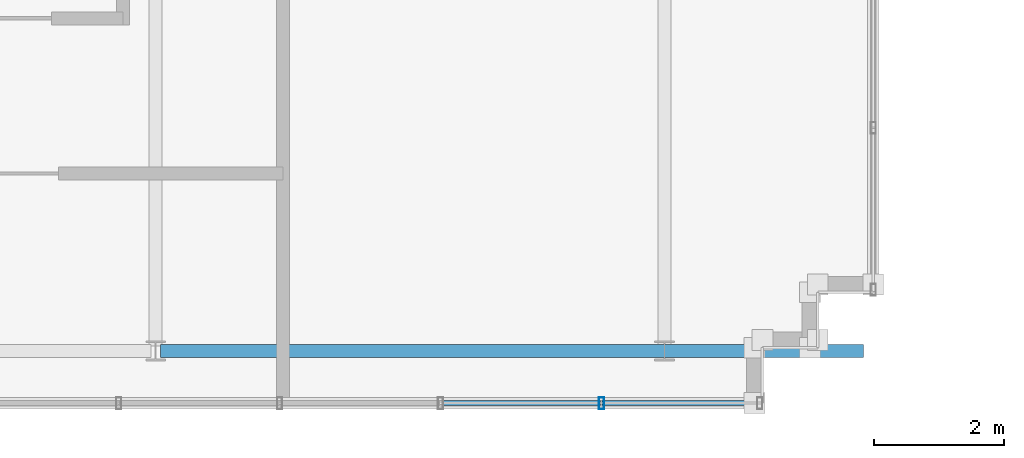
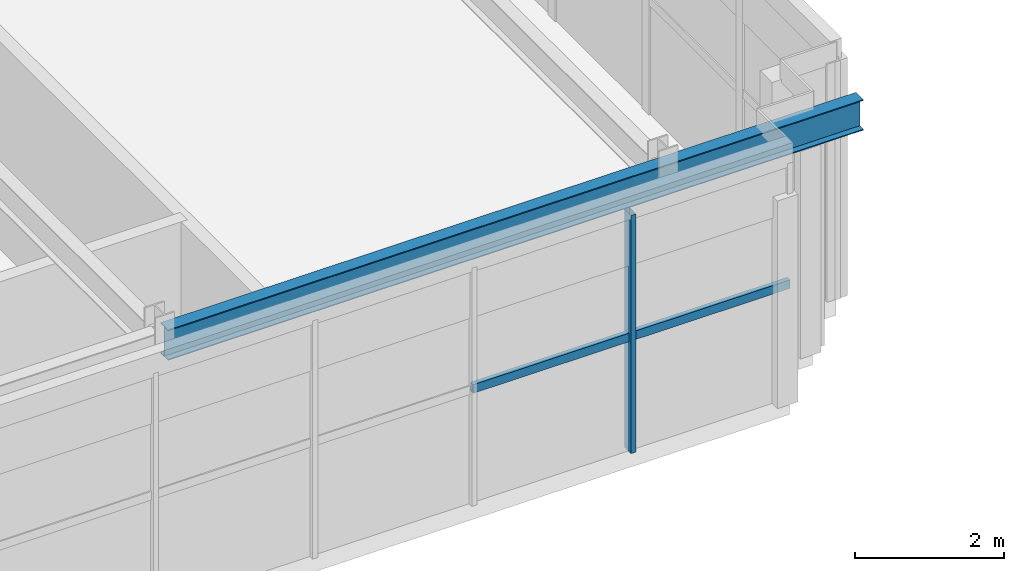
# One storey, part 4 of 25: 3 members, 1 beam, 1 element without a shape of its own.
"""IFC4 building model written with IfcOpenShell, lengths in metres."""

import ifcopenshell
import ifcopenshell.guid

model = None  # the IFC model being written
_history = None  # IfcOwnerHistory: only IFC2X3 demands one
_inside = {}  # id of a spatial element -> (the spatial element, [elements in it])
_under = {}  # id of a project, library or spatial element -> (it, [spatial elements below it])
_declared = {}  # id of a project -> (the project, [libraries it declares])
_typed = {}  # id of a type object -> (the type object, [elements of that type])
_made_of = {}  # id of a material, layer set ... -> (it, [elements and type objects made of it])


def new_model(schema):
    """Start an empty IFC model of exactly this schema.

    Asked for "IFC4X3", IfcOpenShell would pick the latest addendum, in which some entities
    have other attributes; the version numbers below select the first issue.
    IFC2X3 requires an IfcOwnerHistory on every rooted entity: one is made here for all.
    """
    global model, _history
    if schema == "IFC4X3":
        model = ifcopenshell.file(schema_version=(4, 3, 0, 0))
    else:
        model = ifcopenshell.file(schema=schema)
    _inside.clear()
    _under.clear()
    _declared.clear()
    _typed.clear()
    _made_of.clear()
    _history = None
    if model.schema == "IFC2X3":
        org = make("IfcOrganization", Name="unknown")
        user = make(
            "IfcPersonAndOrganization",
            ThePerson=make("IfcPerson", FamilyName="unknown"),
            TheOrganization=org,
        )
        app = make(
            "IfcApplication",
            ApplicationDeveloper=org,
            Version="unknown",
            ApplicationFullName="unknown",
            ApplicationIdentifier="unknown",
        )
        _history = make(
            "IfcOwnerHistory",
            OwningUser=user,
            OwningApplication=app,
            ChangeAction="ADDED",
            CreationDate=0,
        )
    return model


def make(cls, **values):
    """One entity of the class cls with the attributes given. An attribute that is None is left unset."""
    return model.create_entity(
        cls, **{name: value for name, value in values.items() if value is not None}
    )


def rooted(cls, **values):
    """An entity with a GlobalId (a new one), such as an element, a storey or a relation."""
    return make(cls, GlobalId=ifcopenshell.guid.new(), OwnerHistory=_history, **values)


def si_unit(unit_type, name, prefix=None):
    """IfcSIUnit, for example si_unit("LENGTHUNIT", "METRE", prefix="MILLI")."""
    return make("IfcSIUnit", UnitType=unit_type, Prefix=prefix, Name=name)


def assignment(units):
    """IfcUnitAssignment: the units of a project."""
    return None if units is None else make("IfcUnitAssignment", Units=units)


def point(xyz):
    """IfcCartesianPoint."""
    return None if xyz is None else make("IfcCartesianPoint", Coordinates=xyz)


def direction(xyz):
    """IfcDirection."""
    return None if xyz is None else make("IfcDirection", DirectionRatios=xyz)


def frame(location, z_axis=None, x_axis=None):
    """IfcAxis2Placement3D, a coordinate frame: its origin and axes. An axis left out is left unset."""
    return make(
        "IfcAxis2Placement3D",
        Location=point(location),
        Axis=direction(z_axis),
        RefDirection=direction(x_axis),
    )


def frame_2d(location, x_axis=None):
    """IfcAxis2Placement2D, a coordinate frame in the plane: its origin and x axis."""
    return make(
        "IfcAxis2Placement2D", Location=point(location), RefDirection=direction(x_axis)
    )


def origin():
    """The frame at (0, 0, 0) with its axes left unset."""
    return frame((0.0, 0.0, 0.0))


def origin_2d():
    """The frame at (0, 0) in the plane with its x axis left unset."""
    return frame_2d((0.0, 0.0))


def place(relative_to, where):
    """IfcLocalPlacement: puts the frame where relative to a parent placement (None: the world)."""
    return make(
        "IfcLocalPlacement", PlacementRelTo=relative_to, RelativePlacement=where
    )


def context(
    kind, dimensions, precision=None, world=None, true_north=None, identifier=None
):
    """IfcGeometricRepresentationContext, for example the 3D "Model" context."""
    return make(
        "IfcGeometricRepresentationContext",
        ContextIdentifier=identifier,
        ContextType=kind,
        CoordinateSpaceDimension=dimensions,
        Precision=precision,
        WorldCoordinateSystem=world,
        TrueNorth=true_north,
    )


def subcontext(parent, identifier, kind, view, scale=None):
    """IfcGeometricRepresentationSubContext, for example "Body" below "Model"."""
    return make(
        "IfcGeometricRepresentationSubContext",
        ContextIdentifier=identifier,
        ContextType=kind,
        ParentContext=parent,
        TargetScale=scale,
        TargetView=view,
    )


def project(units=None, contexts=None):
    """IfcProject with its units and contexts."""
    return rooted(
        "IfcProject",
        Name="project",
        RepresentationContexts=contexts,
        UnitsInContext=assignment(units),
    )


def spatial(cls, under=None, at=None, **own):
    """A site, building, storey or space (cls), placed at a placement, below another one or the project."""
    s = rooted(cls, ObjectPlacement=at, **own)
    if under is not None:
        _under.setdefault(under.id(), (under, []))[1].append(s)
    return s


def profile(cls, at=None, kind="AREA", **sizes):
    """A parametric profile (cls). Its sizes go by their IFC names, for example OverallWidth=200.0."""
    return make(cls, ProfileType=kind, Position=at, **sizes)


def hollow_rectangle(**sizes):
    """IfcRectangleHollowProfileDef."""
    return profile("IfcRectangleHollowProfileDef", **sizes)


def i_section(**sizes):
    """IfcIShapeProfileDef."""
    return profile("IfcIShapeProfileDef", **sizes)


def extrude(swept, where, along, depth):
    """IfcExtrudedAreaSolid: the profile swept, set in the frame where, extruded along a direction by depth."""
    return make(
        "IfcExtrudedAreaSolid",
        SweptArea=swept,
        Position=where,
        ExtrudedDirection=direction(along),
        Depth=depth,
    )


def shape(context_of_items, identifier, shape_type, items):
    """IfcShapeRepresentation: the items that make up one representation, for example the "Body"."""
    return make(
        "IfcShapeRepresentation",
        ContextOfItems=context_of_items,
        RepresentationIdentifier=identifier,
        RepresentationType=shape_type,
        Items=items,
    )


def source(mapping_origin, context_of_items, identifier, shape_type, items):
    """IfcRepresentationMap: a shape defined once, which mapped items show again and again."""
    return make(
        "IfcRepresentationMap",
        MappingOrigin=mapping_origin,
        MappedRepresentation=shape(context_of_items, identifier, shape_type, items),
    )


def transform(
    local_origin,
    x_axis=None,
    y_axis=None,
    z_axis=None,
    scale=None,
    scale2=None,
    scale3=None,
    uniform=True,
):
    """IfcCartesianTransformationOperator3D, or its non-uniform kind. x_axis, y_axis, z_axis: its Axis1, 2, 3."""
    if uniform:
        return make(
            "IfcCartesianTransformationOperator3D",
            Axis1=direction(x_axis),
            Axis2=direction(y_axis),
            LocalOrigin=point(local_origin),
            Scale=scale,
            Axis3=direction(z_axis),
        )
    return make(
        "IfcCartesianTransformationOperator3DnonUniform",
        Axis1=direction(x_axis),
        Axis2=direction(y_axis),
        LocalOrigin=point(local_origin),
        Scale=scale,
        Axis3=direction(z_axis),
        Scale2=scale2,
        Scale3=scale3,
    )


def mapped(mapping_source, mapping_target):
    """IfcMappedItem: shows the shape of a source again, moved by a transform."""
    return make(
        "IfcMappedItem", MappingSource=mapping_source, MappingTarget=mapping_target
    )


def material(Name=None, Category=None):
    """IfcMaterial."""
    return make("IfcMaterial", Name=Name, Category=Category)


def material_profile(
    of_material, cross_section, Name=None, Category=None, Priority=None
):
    """IfcMaterialProfile: a cross section and its material."""
    return make(
        "IfcMaterialProfile",
        Name=Name,
        Material=of_material,
        Profile=cross_section,
        Priority=Priority,
        Category=Category,
    )


def profile_set(profiles, Name=None, composite=None):
    """IfcMaterialProfileSet."""
    return make(
        "IfcMaterialProfileSet",
        Name=Name,
        MaterialProfiles=profiles,
        CompositeProfile=composite,
    )


def made_of(thing, what):
    """Note that an element or type object is made of a material, layer set ...; save() writes the relation."""
    if what is not None:
        _made_of.setdefault(what.id(), (what, []))[1].append(thing)
    return thing


def type_object(cls, material=None, **own):
    """A type object (cls), such as IfcWallType, which elements share."""
    return made_of(rooted(cls, **own), material)


def element(
    cls,
    number,
    at=None,
    inside=None,
    cuts=None,
    type_object=None,
    material=None,
    context=None,
    identifier="Body",
    shape_type=None,
    held_by="IfcProductDefinitionShape",
    body=None,
    shapes=None,
    **own,
):
    """One element of the class cls, such as IfcWall. Its Tag is "e" and its number.

    at: its placement. inside: the storey or other place that contains it. cuts: it is an
    opening in that element (IfcRelVoidsElement). A single representation is given by context,
    identifier, shape_type and body (its items); several are given by shapes. held_by: the class
    of the entity that holds the representations. save() writes the other relations.
    """
    e = rooted(cls, Tag="e%d" % number, ObjectPlacement=at, **own)
    if body is not None:
        shapes = [shape(context, identifier, shape_type, body)]
    if shapes is not None:
        e.Representation = make(held_by, Representations=shapes)
    if inside is not None:
        _inside.setdefault(inside.id(), (inside, []))[1].append(e)
    if cuts is not None:
        rooted(
            "IfcRelVoidsElement", RelatingBuildingElement=cuts, RelatedOpeningElement=e
        )
    if type_object is not None:
        _typed.setdefault(type_object.id(), (type_object, []))[1].append(e)
    return made_of(e, material)


def aggregate(whole, parts):
    """IfcRelAggregates: a whole, such as a stair, and the parts it consists of."""
    return rooted("IfcRelAggregates", RelatingObject=whole, RelatedObjects=parts)


def save(model, path):
    """Write the relations noted so far, then the file.

    IfcRelAggregates (storeys below a building ...), IfcRelContainedInSpatialStructure (elements
    in a storey), IfcRelDefinesByType, IfcRelAssociatesMaterial and IfcRelDeclares: one each for
    every whole, place, type object, material and project.
    """
    for whole, parts in _under.values():
        aggregate(whole, parts)
    for where, things in _inside.values():
        rooted(
            "IfcRelContainedInSpatialStructure",
            RelatedElements=things,
            RelatingStructure=where,
        )
    for kind, things in _typed.values():
        rooted("IfcRelDefinesByType", RelatedObjects=things, RelatingType=kind)
    for what, things in _made_of.values():
        rooted("IfcRelAssociatesMaterial", RelatedObjects=things, RelatingMaterial=what)
    for by, libraries in _declared.values():
        rooted("IfcRelDeclares", RelatingContext=by, RelatedDefinitions=libraries)
    model.write(path)


model = new_model("IFC4")

# Units and contexts
model_context = context("Model", 3, precision=1e-05, world=origin(), true_north=direction((0.0, 1.0)))
body_context = subcontext(model_context, "Body", "Model", "MODEL_VIEW")
ifc_project = project(units=[si_unit("LENGTHUNIT", "METRE"), si_unit("AREAUNIT", "SQUARE_METRE"), si_unit("VOLUMEUNIT", "CUBIC_METRE"), si_unit("PLANEANGLEUNIT", "RADIAN"), si_unit("MASSUNIT", "GRAM", prefix="KILO")], contexts=[model_context])

# Site, building, storey
site_placement = place(None, origin())
site = spatial("IfcSite", under=ifc_project, at=site_placement, CompositionType="ELEMENT")
building_placement = place(site_placement, origin())
building = spatial("IfcBuilding", under=site, at=building_placement, Name="Trelvane Seafront Commons", CompositionType="ELEMENT")
storey_placement = place(building_placement, frame((0.0, 0.0, 320.89990234375)))
storey = spatial("IfcBuildingStorey", under=building, at=storey_placement, Name="L83", CompositionType="ELEMENT", Elevation=320.89990234375)

# Beam
ifc_material_1 = material(Name="Steel SM355 (S355)", Category="steel")
ifc_material_profile_1 = material_profile(ifc_material_1, i_section(OverallWidth=0.199951171875, OverallDepth=0.5, WebThickness=0.010009765625, FlangeThickness=0.01611328125, at=origin_2d()), Name="H-500x200x10x16")
ifc_profile_set_1 = profile_set([ifc_material_profile_1], Name="Steel SM355 (S355)")
beam_type = type_object("IfcBeamType", Name="STR-CROWN-FRAME-RING", PredefinedType="SPANDREL", material=ifc_profile_set_1)
shared_shape_1 = source(origin(), body_context, "Body", "SweptSolid", [
    extrude(i_section(OverallWidth=0.199951171875, OverallDepth=0.5, WebThickness=0.010009765625, FlangeThickness=0.01611328125, at=origin_2d()), origin(), (0.0, 0.0, 1.0), 10.77490234375),
])
beam_placement = place(storey_placement, frame((15.675048828125, 18.199951171875, 3.650146484375), z_axis=(1.0, 0.0, 0.0), x_axis=(0.0, 1.0, 0.0)))
element("IfcBeam", 1, at=beam_placement, inside=storey, type_object=beam_type, Name="L83 CROWN FRAME Ring Beam G-02", PredefinedType="SPANDREL", context=body_context, shape_type="MappedRepresentation", body=[
    mapped(shared_shape_1, transform((0.0, 0.0, 0.0), x_axis=(1.0, 0.0, 0.0), y_axis=(0.0, 1.0, 0.0), z_axis=(0.0, 0.0, 1.0), scale=1.0)),
])

# Curtain wall, members
ifc_material_2 = material(Name="Anodised pale-silver aluminium", Category="aluminium")
curtain_wall_type = type_object("IfcCurtainWallType", Name="ARCH-CW6-CROWN", PredefinedType="NOTDEFINED", material=ifc_material_2)
curtain_wall_placement = place(storey_placement, origin())
curtain_wall = element("IfcCurtainWall", 2, at=curtain_wall_placement, inside=storey, type_object=curtain_wall_type, Name="CW-L83-0163", PredefinedType="NOTDEFINED")
ifc_material_profile_2 = material_profile(ifc_material_2, hollow_rectangle(XDim=0.080078125, YDim=0.179931640625, WallThickness=0.00439453125, at=origin_2d()), Name="MULL-80x180x4.5")
ifc_profile_set_2 = profile_set([ifc_material_profile_2], Name="Anodised pale-silver aluminium")
member_type_1 = type_object("IfcMemberType", Name="ARCH-CW-MULL-180", PredefinedType="MULLION", material=ifc_profile_set_2)
shared_shape_2 = source(origin(), body_context, "Body", "SweptSolid", [
    extrude(hollow_rectangle(XDim=0.080078125, YDim=0.179931640625, WallThickness=0.00439453125, at=origin_2d()), origin(), (0.0, 0.0, 1.0), 3.900146484375),
])
member_1_placement = place(storey_placement, frame((22.433349609375, 17.39990234375, 0.0), z_axis=(0.0, 0.0, 1.0), x_axis=(1.0, 0.0, 0.0)))
member_1 = element("IfcMember", 3, at=member_1_placement, type_object=member_type_1, Name="CW-L83-0163-M01", PredefinedType="MULLION", context=body_context, shape_type="MappedRepresentation", body=[
    mapped(shared_shape_2, transform((0.0, 0.0, 0.0), x_axis=(1.0, 0.0, 0.0), y_axis=(0.0, 1.0, 0.0), z_axis=(0.0, 0.0, 1.0), scale=1.0)),
])
ifc_material_profile_3 = material_profile(ifc_material_2, hollow_rectangle(XDim=0.074951171875, YDim=0.139892578125, WallThickness=0.00390625, at=origin_2d()), Name="TRAN-75x140x4")
ifc_profile_set_3 = profile_set([ifc_material_profile_3], Name="Anodised pale-silver aluminium")
member_type_2 = type_object("IfcMemberType", Name="ARCH-CW-TRAN-140", PredefinedType="USERDEFINED", material=ifc_profile_set_3)
shared_shape_3 = source(origin(), body_context, "Body", "SweptSolid", [
    extrude(hollow_rectangle(XDim=0.074951171875, YDim=0.139892578125, WallThickness=0.00390625, at=origin_2d()), origin(), (0.0, 0.0, 1.0), 2.442626953125),
])
member_2_placement = place(storey_placement, frame((24.887939453125, 17.39990234375, 1.8720703125), z_axis=(-1.0, 0.0, 0.0), x_axis=(0.0, -1.0, 0.0)))
member_2 = element("IfcMember", 4, at=member_2_placement, type_object=member_type_2, Name="CW-L83-0163-T00", ObjectType="TRANSOM", PredefinedType="USERDEFINED", context=body_context, shape_type="MappedRepresentation", body=[
    mapped(shared_shape_3, transform((0.0, 0.0, 0.0), x_axis=(1.0, 0.0, 0.0), y_axis=(0.0, 1.0, 0.0), z_axis=(0.0, 0.0, 1.0), scale=1.0)),
])
member_3_placement = place(storey_placement, frame((22.42138671875, 17.39990234375, 1.8720703125), z_axis=(-1.0, 0.0, 0.0), x_axis=(0.0, -1.0, 0.0)))
member_3 = element("IfcMember", 5, at=member_3_placement, type_object=member_type_2, Name="CW-L83-0163-T01", ObjectType="TRANSOM", PredefinedType="USERDEFINED", context=body_context, shape_type="MappedRepresentation", body=[
    mapped(shared_shape_3, transform((0.0, 0.0, 0.0), x_axis=(1.0, 0.0, 0.0), y_axis=(0.0, 1.0, 0.0), z_axis=(0.0, 0.0, 1.0), scale=1.0)),
])
aggregate(curtain_wall, [member_1, member_2, member_3])

save(model, "model.ifc")
